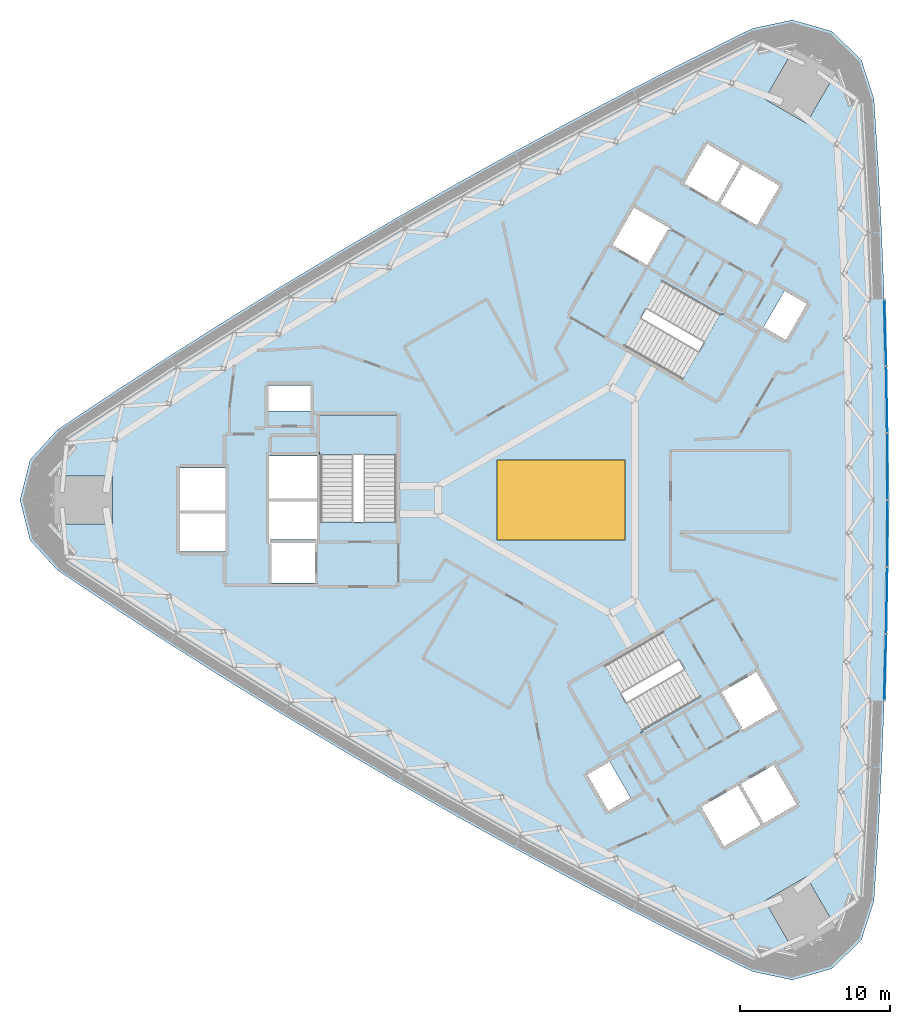
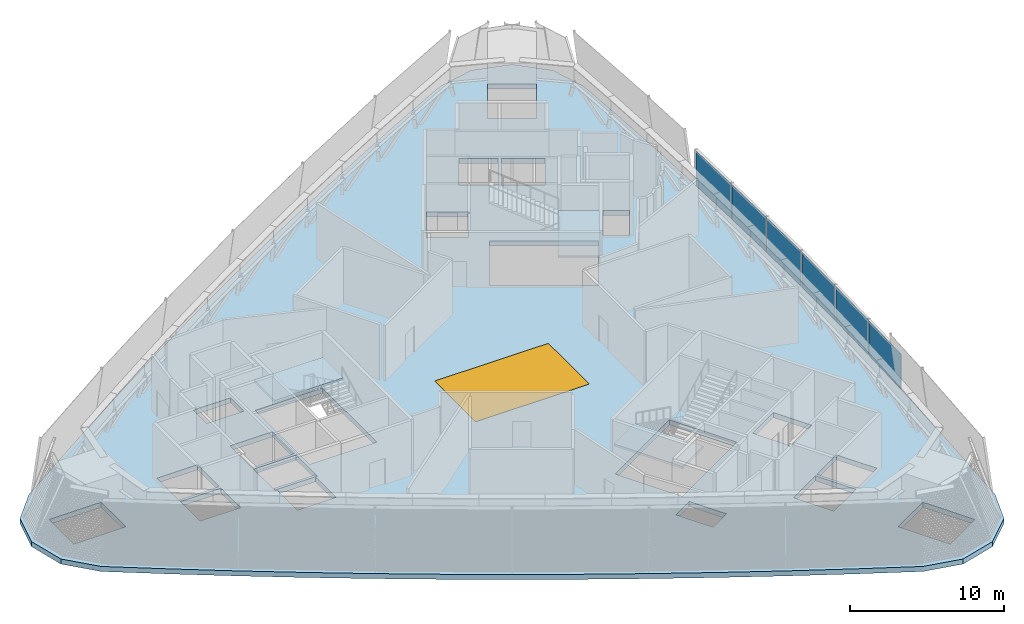
# One storey, part 5 of 17: 6 plates, 4 slabs, 1 window, 1 opening, 4 elements without a shape of their own.
"""IFC4 building model written with IfcOpenShell, lengths in metres."""

from ifc_helpers import new_model, si_unit, direction, frame, origin, origin_2d, place, context, subcontext, project, spatial, polyline, rectangle, outline, extrude, material, layer, layer_set, type_object, element, fill, aggregate, save


model = new_model("IFC4")

# Units and contexts
model_context = context("Model", 3, precision=1e-05, world=origin(), true_north=direction((0.0, 1.0)))
body_context = subcontext(model_context, "Body", "Model", "MODEL_VIEW")
ifc_project = project(units=[si_unit("LENGTHUNIT", "METRE"), si_unit("AREAUNIT", "SQUARE_METRE"), si_unit("VOLUMEUNIT", "CUBIC_METRE"), si_unit("PLANEANGLEUNIT", "RADIAN"), si_unit("MASSUNIT", "GRAM", prefix="KILO")], contexts=[model_context])

# Site, building, storey
site_placement = place(None, origin())
site = spatial("IfcSite", under=ifc_project, at=site_placement, CompositionType="ELEMENT")
building_placement = place(site_placement, origin())
building = spatial("IfcBuilding", under=site, at=building_placement, Name="Tamra Quay Hotel Tower", CompositionType="ELEMENT")
storey_placement = place(building_placement, frame((0.0, 0.0, 119.0)))
storey = spatial("IfcBuildingStorey", under=building, at=storey_placement, Name="L29", CompositionType="ELEMENT", Elevation=119.0)

# Stair, slab
ifc_material_1 = material(Name="Exit stair 2200 32 risers 150.0 going 299")
stair_type = type_object("IfcStairType", Name="Exit stair 2200 32 risers 150.0 going 299", PredefinedType="HALF_TURN_STAIR", material=ifc_material_1)
stair_1_placement = place(storey_placement, origin())
stair_1 = element("IfcStair", 1, at=stair_1_placement, inside=storey, type_object=stair_type, Name="L29 Exit stair ST3", PredefinedType="HALF_TURN_STAIR")
ifc_material_2 = material(Name="Concrete M70", Category="concrete")
ifc_layer_1 = layer(ifc_material_2, 0.175048828125)
ifc_layer_set_1 = layer_set([ifc_layer_1], Name="Concrete M70 stair landing 180")
slab_type_1 = type_object("IfcSlabType", Name="Concrete M70 stair landing 180", PredefinedType="LANDING", material=ifc_layer_set_1)
slab_1_placement = place(storey_placement, frame((0.0, 0.0, 2.22509765625)))
slab_1 = element("IfcSlab", 2, at=slab_1_placement, type_object=slab_type_1, Name="ST3 landing 1", PredefinedType="LANDING", context=body_context, shape_type="SweptSolid", body=[
    extrude(outline(polyline([(-10.932373046875, 2.98486328125), (-10.932373046875, 5.679931640625), (-16.09130859375, 5.679931640625), (-16.09130859375, 2.98486328125), (-10.932373046875, 2.98486328125)])), origin(), (0.0, 0.0, 1.0), 0.1748046875),
])
aggregate(stair_1, [slab_1])

stair_2_placement = place(storey_placement, origin())
stair_2 = element("IfcStair", 3, at=stair_2_placement, inside=storey, type_object=stair_type, Name="L29 Exit stair ST1", PredefinedType="HALF_TURN_STAIR")
slab_2_placement = place(storey_placement, frame((0.0, 0.0, 2.22509765625)))
slab_2 = element("IfcSlab", 4, at=slab_2_placement, type_object=slab_type_1, Name="ST1 landing 1", PredefinedType="LANDING", context=body_context, shape_type="SweptSolid", body=[
    extrude(outline(polyline([(8.051025390625, 7.97509765625), (10.385009765625, 6.627685546875), (12.964599609375, 11.095458984375), (10.630615234375, 12.443115234375), (8.051025390625, 7.97509765625)])), origin(), (0.0, 0.0, 1.0), 0.1748046875),
])
aggregate(stair_2, [slab_2])

stair_3_placement = place(storey_placement, origin())
stair_3 = element("IfcStair", 5, at=stair_3_placement, inside=storey, type_object=stair_type, Name="L29 Exit stair ST2", PredefinedType="HALF_TURN_STAIR")
slab_3_placement = place(storey_placement, frame((0.0, 0.0, 2.22509765625)))
slab_3 = element("IfcSlab", 6, at=slab_3_placement, type_object=slab_type_1, Name="ST2 landing 1", PredefinedType="LANDING", context=body_context, shape_type="SweptSolid", body=[
    extrude(outline(polyline([(2.881103515625, -10.960205078125), (0.547119140625, -12.3076171875), (3.126708984375, -16.775390625), (5.460693359375, -15.427978515625), (2.881103515625, -10.960205078125)])), origin(), (0.0, 0.0, 1.0), 0.1748046875),
])
aggregate(stair_3, [slab_3])

# Slab, opening, window
ifc_material_3 = material(Name="Concrete M60", Category="concrete")
ifc_layer_2 = layer(ifc_material_3, 0.39990234375)
ifc_layer_set_2 = layer_set([ifc_layer_2], Name="FLOOR SLAB PT 400")
slab_type_2 = type_object("IfcSlabType", Name="FLOOR SLAB PT 400", PredefinedType="FLOOR", material=ifc_layer_set_2)
slab_4_placement = place(storey_placement, frame((0.0, 0.0, -0.39990234375)))
slab_4 = element("IfcSlab", 7, at=slab_4_placement, inside=storey, type_object=slab_type_2, Name="SLAB-L29", PredefinedType="FLOOR", context=body_context, shape_type="SweptSolid", body=[
    extrude(outline(polyline([(21.123046875, 22.27490234375), (21.351806640625, 17.823486328125), (21.52978515625, 13.36962890625), (21.656982421875, 8.9140625), (21.7333984375, 4.457275390625), (21.759033203125, 0.0), (21.7333984375, -4.457275390625), (21.656982421875, -8.9140625), (21.52978515625, -13.36962890625), (21.351806640625, -17.823486328125), (21.123046875, -22.27490234375), (20.84375, -26.723388671875), (20.0009765625, -29.3291015625), (18.03173828125, -31.232177734375), (15.399169921875, -31.98583984375), (12.72119140625, -31.412841796875), (8.729248046875, -29.4306640625), (4.759765625, -27.403076171875), (0.8134765625, -25.330322265625), (-3.108642578125, -23.212646484375), (-7.006591796875, -21.05029296875), (-10.87939453125, -18.84375), (-14.726806640625, -16.593017578125), (-18.54833984375, -14.298583984375), (-22.343505859375, -11.960693359375), (-26.111572265625, -9.57958984375), (-29.852294921875, -7.155517578125), (-33.565185546875, -4.689453125), (-35.400146484375, -2.65673828125), (-36.063720703125, 0.0), (-35.400146484375, 2.65673828125), (-33.565185546875, 4.689453125), (-29.852294921875, 7.155517578125), (-26.111572265625, 9.57958984375), (-22.343505859375, 11.960693359375), (-18.54833984375, 14.298583984375), (-14.726806640625, 16.593017578125), (-10.87939453125, 18.84375), (-7.006591796875, 21.05029296875), (-3.108642578125, 23.212646484375), (0.8134765625, 25.330322265625), (4.759765625, 27.403076171875), (8.729248046875, 29.4306640625), (12.72119140625, 31.412841796875), (15.399169921875, 31.98583984375), (18.03173828125, 31.232177734375), (20.0009765625, 29.3291015625), (20.84375, 26.723388671875), (21.123046875, 22.27490234375)]), holes=[polyline([(4.631103515625, -19.851318359375), (3.236083984375, -17.43505859375), (1.73779296875, -18.300048828125), (3.1328125, -20.71630859375), (4.631103515625, -19.851318359375)]), polyline([(0.622314453125, -12.32763671875), (3.146728515625, -16.7001953125), (9.2783203125, -13.160400390625), (6.75390625, -8.78759765625), (0.622314453125, -12.32763671875)]), polyline([(-19.4072265625, -2.89306640625), (-19.307373046875, -2.89306640625), (-19.307373046875, -5.544921875), (-16.417236328125, -5.544921875), (-16.417236328125, -2.89306640625), (-16.3173828125, -2.89306640625), (-16.3173828125, -2.85498046875), (-19.4072265625, -2.85498046875), (-19.4072265625, -2.89306640625)]), polyline([(-22.3671875, -0.905029296875), (-25.4072265625, -0.905029296875), (-25.4072265625, -3.445068359375), (-22.3671875, -3.445068359375), (-22.3671875, -0.905029296875)]), polyline([(-19.417236328125, -2.64501953125), (-16.307373046875, -2.64501953125), (-16.307373046875, -2.89306640625), (-16.26708984375, -2.89306640625), (-16.26708984375, -0.10498046875), (-19.45751953125, -0.10498046875), (-19.45751953125, -2.89306640625), (-19.417236328125, -2.89306640625), (-19.417236328125, -2.64501953125)]), polyline([(-33.81396484375, -1.60009765625), (-29.913818359375, -1.60009765625), (-29.913818359375, 1.60009765625), (-33.81396484375, 1.60009765625), (-33.81396484375, -1.60009765625)]), polyline([(-22.3671875, 2.14501953125), (-25.4072265625, 2.14501953125), (-25.4072265625, -0.695068359375), (-22.3671875, -0.695068359375), (-22.3671875, 2.14501953125)]), polyline([(-16.26708984375, 2.945068359375), (-19.45751953125, 2.945068359375), (-19.45751953125, 0.10498046875), (-16.26708984375, 0.10498046875), (-16.26708984375, 2.945068359375)]), polyline([(-10.9873046875, -1.455078125), (-10.9873046875, 5.625), (-16.036376953125, 5.625), (-16.036376953125, -1.455078125), (-10.9873046875, -1.455078125)]), polyline([(-19.50732421875, 7.64501953125), (-19.50732421875, 5.9150390625), (-16.71728515625, 5.9150390625), (-16.71728515625, 7.64501953125), (-19.50732421875, 7.64501953125)]), polyline([(18.29248046875, -28.483642578125), (16.342529296875, -25.106201171875), (13.5712890625, -26.706298828125), (15.521240234375, -30.083740234375), (18.29248046875, -28.483642578125)]), polyline([(9.325927734375, -20.443115234375), (10.845947265625, -23.075927734375), (13.3056640625, -21.65576171875), (11.78564453125, -19.02294921875), (9.325927734375, -20.443115234375)]), polyline([(13.487548828125, -21.55078125), (15.68701171875, -20.281005859375), (14.1669921875, -17.648193359375), (11.96728515625, -18.91796875), (13.487548828125, -21.55078125)]), polyline([(12.05615234375, -15.171875), (11.969482421875, -15.2216796875), (12.03955078125, -15.343017578125), (14.455810546875, -13.947998046875), (13.0107421875, -11.4453125), (10.68115234375, -12.790283203125), (12.05615234375, -15.171875)]), polyline([(4.2333984375, 10.242919921875), (10.364990234375, 6.702880859375), (12.889404296875, 11.075439453125), (6.758056640625, 14.615478515625), (4.2333984375, 10.242919921875)]), polyline([(14.876220703125, 13.936279296875), (13.481201171875, 11.52001953125), (14.9794921875, 10.655029296875), (16.37451171875, 13.0712890625), (14.876220703125, 13.936279296875)]), polyline([(7.19775390625, 17.976806640625), (7.267578125, 18.09814453125), (4.8515625, 19.4931640625), (3.406494140625, 16.990234375), (5.736083984375, 15.645263671875), (7.111083984375, 18.02685546875), (7.19775390625, 17.976806640625)]), polyline([(13.041259765625, 18.298095703125), (14.561279296875, 20.930908203125), (12.101806640625, 22.350830078125), (10.58154296875, 19.718017578125), (13.041259765625, 18.298095703125)]), polyline([(10.39990234375, 19.822998046875), (11.919921875, 22.455810546875), (9.72021484375, 23.725830078125), (8.2001953125, 21.093017578125), (10.39990234375, 19.822998046875)]), polyline([(18.29248046875, 28.483642578125), (15.521240234375, 30.083740234375), (13.5712890625, 26.706298828125), (16.342529296875, 25.106201171875), (18.29248046875, 28.483642578125)])]), origin(), (0.0, 0.0, 1.0), 0.39990234375),
])
opening_placement = place(slab_4_placement, origin())
opening = element("IfcOpeningElement", 8, at=opening_placement, cuts=slab_4, Name="Opening SK1-8530", PredefinedType="OPENING", context=body_context, shape_type="SweptSolid", body=[
    extrude(rectangle(XDim=8.530029296875, YDim=5.320068359375, at=origin_2d()), origin(), (0.0, 0.0, 1.0), 0.39990234375),
])
ifc_material_4 = material(Name="Fire-rated laminated glass in steel frame", Category="steel")
window_type = type_object("IfcWindowType", Name="ATRIUM SKYLIGHT 8530X5320", PartitioningType="SINGLE_PANEL", PredefinedType="SKYLIGHT", material=ifc_material_4)
window_placement = place(opening_placement, frame((0.0, 0.0, 0.349853515625)))
window = element("IfcWindow", 9, at=window_placement, inside=storey, type_object=window_type, Name="SK1-8530", OverallHeight=5.320068359375, OverallWidth=8.530029296875, PartitioningType="SINGLE_PANEL", PredefinedType="SKYLIGHT", context=body_context, shape_type="SweptSolid", body=[
    extrude(rectangle(XDim=8.530029296875, YDim=5.320068359375, at=origin_2d()), origin(), (0.0, 0.0, 1.0), 0.050048828125),
])
fill(opening, window)

# Curtain wall, plates
ifc_material_5 = material(Name="Aluminium 6063 anodised dark grey", Category="aluminium")
curtain_wall_type = type_object("IfcCurtainWallType", Name="CW1 CURTAIN WALL", PredefinedType="NOTDEFINED", material=ifc_material_5)
curtain_wall_placement = place(storey_placement, origin())
curtain_wall = element("IfcCurtainWall", 10, at=curtain_wall_placement, inside=storey, type_object=curtain_wall_type, Name="CW1 east face L29", PredefinedType="NOTDEFINED")
ifc_material_6 = material(Name="Terracotta cladding panel on aluminium frame", Category="masonry")
ifc_layer_3 = layer(ifc_material_6, 0.033935546875)
ifc_layer_set_3 = layer_set([ifc_layer_3], Name="SOLID PANEL CW1 Z2")
plate_type = type_object("IfcPlateType", Name="SOLID PANEL CW1 Z2", PredefinedType="CURTAIN_PANEL", material=ifc_layer_set_3)
plate_1_placement = place(storey_placement, frame((21.593505859375, -11.141845703125, 0.0), z_axis=(0.0, 0.0, 1.0), x_axis=(0.02854617831, 0.999592474814, 0.0)))
plate_1 = element("IfcPlate", 11, at=plate_1_placement, type_object=plate_type, Name="CW1 solid panel L29.E.1", PredefinedType="CURTAIN_PANEL", context=body_context, shape_type="SweptSolid", body=[
    extrude(rectangle(XDim=4.357421875, YDim=0.033935546875, at=origin_2d()), origin(), (0.0, 0.0, 1.0), 2.760009765625),
])
plate_2_placement = place(storey_placement, frame((21.6953125, -6.685791015625, 0.0), z_axis=(0.0, 0.0, 1.0), x_axis=(0.017133866809, 0.99985320453, 0.0)))
plate_2 = element("IfcPlate", 12, at=plate_2_placement, type_object=plate_type, Name="CW1 solid panel L29.E.2", PredefinedType="CURTAIN_PANEL", context=body_context, shape_type="SweptSolid", body=[
    extrude(rectangle(XDim=4.357421875, YDim=0.033935546875, at=origin_2d()), origin(), (0.0, 0.0, 1.0), 2.760009765625),
])
plate_3_placement = place(storey_placement, frame((21.746337890625, -2.228759765625, 0.0), z_axis=(0.0, 0.0, 1.0), x_axis=(0.005712666857, 0.999983682586, 0.0)))
plate_3 = element("IfcPlate", 13, at=plate_3_placement, type_object=plate_type, Name="CW1 solid panel L29.E.3", PredefinedType="CURTAIN_PANEL", context=body_context, shape_type="SweptSolid", body=[
    extrude(rectangle(XDim=4.357421875, YDim=0.033935546875, at=origin_2d()), origin(), (0.0, 0.0, 1.0), 2.760009765625),
])
plate_4_placement = place(storey_placement, frame((21.746337890625, 2.228759765625, 0.0), z_axis=(0.0, 0.0, 1.0), x_axis=(-0.005712666857, 0.999983682586, 0.0)))
plate_4 = element("IfcPlate", 14, at=plate_4_placement, type_object=plate_type, Name="CW1 solid panel L29.E.4", PredefinedType="CURTAIN_PANEL", context=body_context, shape_type="SweptSolid", body=[
    extrude(rectangle(XDim=4.357421875, YDim=0.033935546875, at=origin_2d()), origin(), (0.0, 0.0, 1.0), 2.760009765625),
])
plate_5_placement = place(storey_placement, frame((21.6953125, 6.685791015625, 0.0), z_axis=(0.0, 0.0, 1.0), x_axis=(-0.017133866809, 0.99985320453, 0.0)))
plate_5 = element("IfcPlate", 15, at=plate_5_placement, type_object=plate_type, Name="CW1 solid panel L29.E.5", PredefinedType="CURTAIN_PANEL", context=body_context, shape_type="SweptSolid", body=[
    extrude(rectangle(XDim=4.357421875, YDim=0.033935546875, at=origin_2d()), origin(), (0.0, 0.0, 1.0), 2.760009765625),
])
plate_6_placement = place(storey_placement, frame((21.593505859375, 11.141845703125, 0.0), z_axis=(0.0, 0.0, 1.0), x_axis=(-0.02854617831, 0.999592474814, 0.0)))
plate_6 = element("IfcPlate", 16, at=plate_6_placement, type_object=plate_type, Name="CW1 solid panel L29.E.6", PredefinedType="CURTAIN_PANEL", context=body_context, shape_type="SweptSolid", body=[
    extrude(rectangle(XDim=4.357421875, YDim=0.033935546875, at=origin_2d()), origin(), (0.0, 0.0, 1.0), 2.760009765625),
])
aggregate(curtain_wall, [plate_1, plate_2, plate_3, plate_4, plate_5, plate_6])

save(model, "model.ifc")
